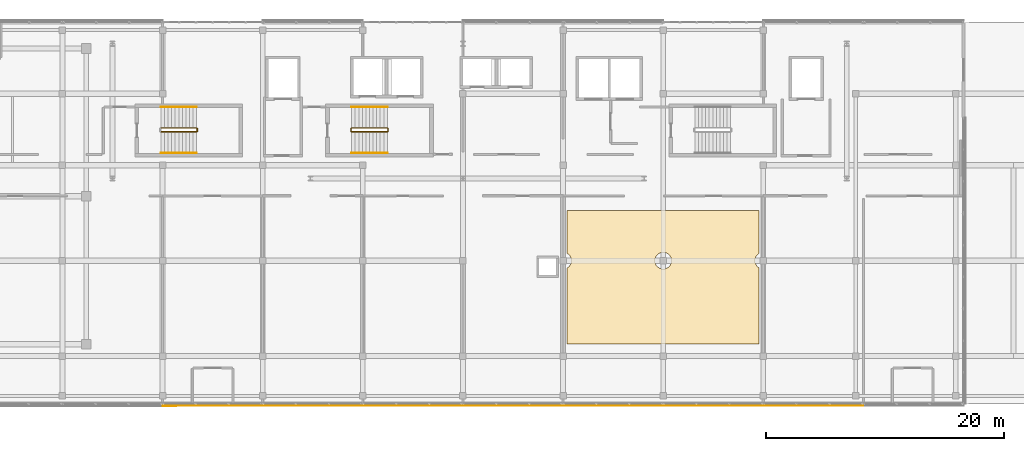
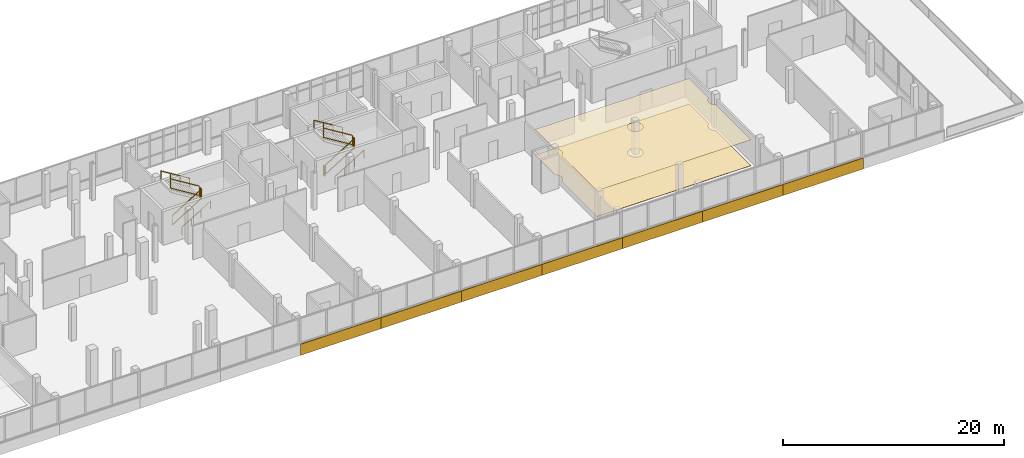
# One storey, part 64 of 67: 11 railings, 9 coverings.
"""IFC4 building model written with IfcOpenShell, lengths in metres."""

from ifc_helpers import new_model, si_unit, direction, frame, origin, origin_2d, place, context, subcontext, project, spatial, polyline, rectangle, circle, outline, extrude, material, layer, layer_set, type_object, element, save


model = new_model("IFC4")

# Units and contexts
model_context = context("Model", 3, precision=1e-05, world=origin(), true_north=direction((0.0, 1.0)))
body_context = subcontext(model_context, "Body", "Model", "MODEL_VIEW")
ifc_project = project(units=[si_unit("LENGTHUNIT", "METRE"), si_unit("AREAUNIT", "SQUARE_METRE"), si_unit("VOLUMEUNIT", "CUBIC_METRE"), si_unit("PLANEANGLEUNIT", "RADIAN"), si_unit("MASSUNIT", "GRAM", prefix="KILO")], contexts=[model_context])

# Site, building, storey
site_placement = place(None, origin())
site = spatial("IfcSite", under=ifc_project, at=site_placement, CompositionType="ELEMENT")
building_placement = place(site_placement, origin())
building = spatial("IfcBuilding", under=site, at=building_placement, Name="Selatvlak General Hospital", CompositionType="ELEMENT")
storey_placement = place(building_placement, frame((0.0, 0.0, 35.39990234375)))
storey = spatial("IfcBuildingStorey", under=building, at=storey_placement, Name="L08", CompositionType="ELEMENT", Elevation=35.39990234375)

# Coverings
ifc_material_1 = material(Name="Acoustic mineral fibre ceiling tile")
ifc_layer_1 = layer(ifc_material_1, 0.02490234375, Name="Acoustic mineral fibre ceiling tile")
ifc_layer_set_1 = layer_set([ifc_layer_1], Name="Acoustic mineral fibre ceiling tile")
covering_type_1 = type_object("IfcCoveringType", Name="COV-CEIL1", PredefinedType="CEILING", material=ifc_layer_set_1)
covering_1_placement = place(storey_placement, frame((0.0, 0.0, 2.840087890625)))
element("IfcCovering", 1, at=covering_1_placement, inside=storey, type_object=covering_type_1, Name="L08 clinical acoustic ceiling 018", PredefinedType="CEILING", context=body_context, shape_type="SweptSolid", body=[
    extrude(outline(polyline([(140.050048828125, 104.199951171875), (140.050048828125, 100.60498046875), (140.010986328125, 100.58203125), (139.9560546875, 100.541015625), (139.905029296875, 100.4951171875), (139.85888671875, 100.444091796875), (139.818115234375, 100.388916015625), (139.782958984375, 100.330078125), (139.7529296875, 100.26806640625), (139.72998046875, 100.202880859375), (139.712890625, 100.136962890625), (139.702880859375, 100.069091796875), (139.699951171875, 100.0), (139.702880859375, 99.930908203125), (139.712890625, 99.863037109375), (139.72998046875, 99.797119140625), (139.7529296875, 99.73193359375), (139.782958984375, 99.669921875), (139.818115234375, 99.611083984375), (139.85888671875, 99.555908203125), (139.905029296875, 99.5048828125), (139.9560546875, 99.458984375), (140.010986328125, 99.41796875), (140.050048828125, 99.39501953125), (140.050048828125, 93.0), (123.949951171875, 93.0), (123.949951171875, 99.39501953125), (123.989013671875, 99.41796875), (124.0439453125, 99.458984375), (124.094970703125, 99.5048828125), (124.14111328125, 99.555908203125), (124.181884765625, 99.611083984375), (124.217041015625, 99.669921875), (124.2470703125, 99.73193359375), (124.27001953125, 99.797119140625), (124.287109375, 99.863037109375), (124.297119140625, 99.930908203125), (124.300048828125, 100.0), (124.297119140625, 100.069091796875), (124.287109375, 100.136962890625), (124.27001953125, 100.202880859375), (124.2470703125, 100.26806640625), (124.217041015625, 100.330078125), (124.181884765625, 100.388916015625), (124.14111328125, 100.444091796875), (124.094970703125, 100.4951171875), (124.0439453125, 100.541015625), (123.989013671875, 100.58203125), (123.949951171875, 100.60498046875), (123.949951171875, 104.199951171875), (140.050048828125, 104.199951171875)]), holes=[polyline([(132.58203125, 99.611083984375), (132.616943359375, 99.669921875), (132.64697265625, 99.73193359375), (132.669921875, 99.797119140625), (132.68701171875, 99.863037109375), (132.697021484375, 99.930908203125), (132.699951171875, 100.0), (132.697021484375, 100.069091796875), (132.68701171875, 100.136962890625), (132.669921875, 100.202880859375), (132.64697265625, 100.26806640625), (132.616943359375, 100.330078125), (132.58203125, 100.388916015625), (132.541015625, 100.444091796875), (132.4951171875, 100.4951171875), (132.444091796875, 100.541015625), (132.388916015625, 100.58203125), (132.330078125, 100.616943359375), (132.26806640625, 100.64697265625), (132.202880859375, 100.669921875), (132.136962890625, 100.68701171875), (132.069091796875, 100.697021484375), (132.0, 100.699951171875), (131.930908203125, 100.697021484375), (131.863037109375, 100.68701171875), (131.797119140625, 100.669921875), (131.73193359375, 100.64697265625), (131.669921875, 100.616943359375), (131.611083984375, 100.58203125), (131.555908203125, 100.541015625), (131.5048828125, 100.4951171875), (131.458984375, 100.444091796875), (131.41796875, 100.388916015625), (131.383056640625, 100.330078125), (131.35302734375, 100.26806640625), (131.330078125, 100.202880859375), (131.31298828125, 100.136962890625), (131.302978515625, 100.069091796875), (131.300048828125, 100.0), (131.302978515625, 99.930908203125), (131.31298828125, 99.863037109375), (131.330078125, 99.797119140625), (131.35302734375, 99.73193359375), (131.383056640625, 99.669921875), (131.41796875, 99.611083984375), (131.458984375, 99.555908203125), (131.5048828125, 99.5048828125), (131.555908203125, 99.458984375), (131.611083984375, 99.41796875), (131.669921875, 99.383056640625), (131.73193359375, 99.35302734375), (131.797119140625, 99.330078125), (131.863037109375, 99.31298828125), (131.930908203125, 99.302978515625), (132.0, 99.300048828125), (132.069091796875, 99.302978515625), (132.136962890625, 99.31298828125), (132.202880859375, 99.330078125), (132.26806640625, 99.35302734375), (132.330078125, 99.383056640625), (132.388916015625, 99.41796875), (132.444091796875, 99.458984375), (132.4951171875, 99.5048828125), (132.541015625, 99.555908203125), (132.58203125, 99.611083984375)])]), origin(), (0.0, 0.0, 1.0), 0.02490234375),
])
ifc_material_2 = material(Name="Homogeneous anti-static hospital vinyl flooring")
ifc_layer_2 = layer(ifc_material_2, 0.014892578125, Name="Homogeneous anti-static hospital vinyl flooring")
ifc_layer_set_2 = layer_set([ifc_layer_2], Name="Homogeneous anti-static hospital vinyl flooring")
covering_type_2 = type_object("IfcCoveringType", Name="COV-FLR1", PredefinedType="FLOORING", material=ifc_layer_set_2)
covering_2_placement = place(storey_placement, origin())
element("IfcCovering", 2, at=covering_2_placement, inside=storey, type_object=covering_type_2, Name="L08 seamless vinyl flooring 018", PredefinedType="FLOORING", context=body_context, shape_type="SweptSolid", body=[
    extrude(outline(polyline([(140.050048828125, 104.199951171875), (140.050048828125, 100.60498046875), (140.010986328125, 100.58203125), (139.9560546875, 100.541015625), (139.905029296875, 100.4951171875), (139.85888671875, 100.444091796875), (139.818115234375, 100.388916015625), (139.782958984375, 100.330078125), (139.7529296875, 100.26806640625), (139.72998046875, 100.202880859375), (139.712890625, 100.136962890625), (139.702880859375, 100.069091796875), (139.699951171875, 100.0), (139.702880859375, 99.930908203125), (139.712890625, 99.863037109375), (139.72998046875, 99.797119140625), (139.7529296875, 99.73193359375), (139.782958984375, 99.669921875), (139.818115234375, 99.611083984375), (139.85888671875, 99.555908203125), (139.905029296875, 99.5048828125), (139.9560546875, 99.458984375), (140.010986328125, 99.41796875), (140.050048828125, 99.39501953125), (140.050048828125, 93.0), (123.949951171875, 93.0), (123.949951171875, 99.39501953125), (123.989013671875, 99.41796875), (124.0439453125, 99.458984375), (124.094970703125, 99.5048828125), (124.14111328125, 99.555908203125), (124.181884765625, 99.611083984375), (124.217041015625, 99.669921875), (124.2470703125, 99.73193359375), (124.27001953125, 99.797119140625), (124.287109375, 99.863037109375), (124.297119140625, 99.930908203125), (124.300048828125, 100.0), (124.297119140625, 100.069091796875), (124.287109375, 100.136962890625), (124.27001953125, 100.202880859375), (124.2470703125, 100.26806640625), (124.217041015625, 100.330078125), (124.181884765625, 100.388916015625), (124.14111328125, 100.444091796875), (124.094970703125, 100.4951171875), (124.0439453125, 100.541015625), (123.989013671875, 100.58203125), (123.949951171875, 100.60498046875), (123.949951171875, 104.199951171875), (140.050048828125, 104.199951171875)]), holes=[polyline([(132.58203125, 99.611083984375), (132.616943359375, 99.669921875), (132.64697265625, 99.73193359375), (132.669921875, 99.797119140625), (132.68701171875, 99.863037109375), (132.697021484375, 99.930908203125), (132.699951171875, 100.0), (132.697021484375, 100.069091796875), (132.68701171875, 100.136962890625), (132.669921875, 100.202880859375), (132.64697265625, 100.26806640625), (132.616943359375, 100.330078125), (132.58203125, 100.388916015625), (132.541015625, 100.444091796875), (132.4951171875, 100.4951171875), (132.444091796875, 100.541015625), (132.388916015625, 100.58203125), (132.330078125, 100.616943359375), (132.26806640625, 100.64697265625), (132.202880859375, 100.669921875), (132.136962890625, 100.68701171875), (132.069091796875, 100.697021484375), (132.0, 100.699951171875), (131.930908203125, 100.697021484375), (131.863037109375, 100.68701171875), (131.797119140625, 100.669921875), (131.73193359375, 100.64697265625), (131.669921875, 100.616943359375), (131.611083984375, 100.58203125), (131.555908203125, 100.541015625), (131.5048828125, 100.4951171875), (131.458984375, 100.444091796875), (131.41796875, 100.388916015625), (131.383056640625, 100.330078125), (131.35302734375, 100.26806640625), (131.330078125, 100.202880859375), (131.31298828125, 100.136962890625), (131.302978515625, 100.069091796875), (131.300048828125, 100.0), (131.302978515625, 99.930908203125), (131.31298828125, 99.863037109375), (131.330078125, 99.797119140625), (131.35302734375, 99.73193359375), (131.383056640625, 99.669921875), (131.41796875, 99.611083984375), (131.458984375, 99.555908203125), (131.5048828125, 99.5048828125), (131.555908203125, 99.458984375), (131.611083984375, 99.41796875), (131.669921875, 99.383056640625), (131.73193359375, 99.35302734375), (131.797119140625, 99.330078125), (131.863037109375, 99.31298828125), (131.930908203125, 99.302978515625), (132.0, 99.300048828125), (132.069091796875, 99.302978515625), (132.136962890625, 99.31298828125), (132.202880859375, 99.330078125), (132.26806640625, 99.35302734375), (132.330078125, 99.383056640625), (132.388916015625, 99.41796875), (132.444091796875, 99.458984375), (132.4951171875, 99.5048828125), (132.541015625, 99.555908203125), (132.58203125, 99.611083984375)])]), origin(), (0.0, 0.0, 1.0), 0.01513671875),
])
ifc_material_3 = material(Name="White Bauhaus fair-faced cladding panel")
ifc_layer_3 = layer(ifc_material_3, 0.054931640625, Name="White Bauhaus fair-faced cladding panel")
ifc_layer_set_3 = layer_set([ifc_layer_3], Name="White Bauhaus fair-faced cladding panel")
covering_type_3 = type_object("IfcCoveringType", Name="COV-WHT1", PredefinedType="CLADDING", material=ifc_layer_set_3)
for number, where, z_axis, x_axis, name in (
    (3, (144.60009765625, 87.8359375, -0.27978515625), (0.0, 0.0, 1.0), (-1.0, 0.0, 0.0), "L08 Bauhaus horizontal white spandrel band 0556"),
    (4, (136.199951171875, 87.8359375, -0.27978515625), (0.0, 0.0, 1.0), (-1.0, 0.0, 0.0), "L08 Bauhaus horizontal white spandrel band 0557"),
    (5, (127.800048828125, 87.8359375, -0.27978515625), (0.0, 0.0, 1.0), (-1.0, 0.0, 0.0), "L08 Bauhaus horizontal white spandrel band 0558"),
    (6, (119.39990234375, 87.8359375, -0.27978515625), (0.0, 0.0, 1.0), (-1.0, 0.0, 0.0), "L08 Bauhaus horizontal white spandrel band 0559"),
    (7, (111.0, 87.8359375, -0.27978515625), (0.0, 0.0, 1.0), (-1.0, 0.0, 0.0), "L08 Bauhaus horizontal white spandrel band 0560"),
    (8, (102.60009765625, 87.8359375, -0.27978515625), (0.0, 0.0, 1.0), (-1.0, 0.0, 0.0), "L08 Bauhaus horizontal white spandrel band 0561"),
    (9, (94.199951171875, 87.8359375, -0.27978515625), (0.0, 0.0, 1.0), (-0.999999992537, -0.000122173047, 0.0), "L08 Bauhaus horizontal white spandrel band 0562"),
):
    element("IfcCovering", number, at=place(storey_placement, frame(where, z_axis=z_axis, x_axis=x_axis)), inside=storey, type_object=covering_type_3, Name=name, PredefinedType="CLADDING", context=body_context, shape_type="SweptSolid", body=[
        extrude(rectangle(XDim=8.39990234375, YDim=0.054931640625, at=origin_2d()), origin(), (0.0, 0.0, 1.0), 1.219970703125),
    ])

# Railings
ifc_material_4 = material(Name="Stainless steel 316 stair guard", Category="steel")
railing_type_1 = type_object("IfcRailingType", Name="RAIL-STG", PredefinedType="GUARDRAIL", material=ifc_material_4)
railing_1_placement = place(storey_placement, frame((89.860107421875, 110.81005859375, 0.18408203125)))
element("IfcRailing", 10, at=railing_1_placement, inside=storey, type_object=railing_type_1, Name="L08 ST-02 stair guard 1", PredefinedType="GUARDRAIL", context=body_context, shape_type="SweptSolid", body=[
    extrude(rectangle(XDim=0.068115234375, YDim=0.068115234375, at=origin_2d()), frame((0.00244140625, 0.0, 1.067626953125), z_axis=(0.852303052018, 0.0, 0.52304828412), x_axis=(0.0, 1.0, 0.0)), (0.0, 0.0, 1.0), 3.513916015625),
    extrude(rectangle(XDim=0.068115234375, YDim=0.068115234375, at=origin_2d()), frame((0.00244140625, 0.0, 0.050537109375), z_axis=(0.852303052018, 0.0, 0.52304828412), x_axis=(0.0, 1.0, 0.0)), (0.0, 0.0, 1.0), 3.513916015625),
    extrude(rectangle(XDim=0.055908203125, YDim=0.055908203125, at=origin_2d()), origin(), (0.0, 0.0, 1.0), 1.029052734375),
    extrude(rectangle(XDim=0.055908203125, YDim=0.055908203125, at=origin_2d()), frame((3.0, 0.0, 1.841064453125)), (0.0, 0.0, 1.0), 1.029052734375),
])
railing_2_placement = place(storey_placement, frame((92.909912109375, 110.860107421875, 2.025146484375)))
element("IfcRailing", 11, at=railing_2_placement, inside=storey, type_object=railing_type_1, Name="L08 ST-02 stair guard 2", PredefinedType="GUARDRAIL", context=body_context, shape_type="SweptSolid", body=[
    extrude(rectangle(XDim=0.068115234375, YDim=0.068115234375, at=origin_2d()), frame((0.0, 0.0029296875, 1.06591796875), z_axis=(0.0, 1.0, 0.0), x_axis=(-1.0, 0.0, 0.0)), (0.0, 0.0, 1.0), 0.214111328125),
    extrude(rectangle(XDim=0.068115234375, YDim=0.068115234375, at=origin_2d()), frame((0.0, 0.0029296875, 0.049072265625), z_axis=(0.0, 1.0, 0.0), x_axis=(-1.0, 0.0, 0.0)), (0.0, 0.0, 1.0), 0.214111328125),
    extrude(rectangle(XDim=0.055908203125, YDim=0.055908203125, at=origin_2d()), origin(), (0.0, 0.0, 1.0), 1.029052734375),
    extrude(rectangle(XDim=0.055908203125, YDim=0.055908203125, at=origin_2d()), frame((0.0, 0.219970703125, 0.0)), (0.0, 0.0, 1.0), 1.029052734375),
])
railing_3_placement = place(storey_placement, frame((92.860107421875, 111.1298828125, 2.209228515625)))
element("IfcRailing", 12, at=railing_3_placement, inside=storey, type_object=railing_type_1, Name="L08 ST-02 stair guard 3", PredefinedType="GUARDRAIL", context=body_context, shape_type="SweptSolid", body=[
    extrude(rectangle(XDim=0.068115234375, YDim=0.068115234375, at=origin_2d()), frame((-0.00244140625, 0.0, 1.067626953125), z_axis=(-0.852333972304, 0.0, 0.522997896417), x_axis=(0.0, -1.0, 0.0)), (0.0, 0.0, 1.0), 3.513916015625),
    extrude(rectangle(XDim=0.068115234375, YDim=0.068115234375, at=origin_2d()), frame((-0.00244140625, 0.0, 0.050537109375), z_axis=(-0.852333972304, 0.0, 0.522997896417), x_axis=(0.0, -1.0, 0.0)), (0.0, 0.0, 1.0), 3.513916015625),
    extrude(rectangle(XDim=0.055908203125, YDim=0.055908203125, at=origin_2d()), origin(), (0.0, 0.0, 1.0), 1.029052734375),
    extrude(rectangle(XDim=0.055908203125, YDim=0.055908203125, at=origin_2d()), frame((-3.0, 0.0, 1.8408203125)), (0.0, 0.0, 1.0), 1.029052734375),
])
railing_4_placement = place(storey_placement, frame((105.860107421875, 110.81005859375, 0.18408203125)))
element("IfcRailing", 13, at=railing_4_placement, inside=storey, type_object=railing_type_1, Name="L08 ST-03 stair guard 1", PredefinedType="GUARDRAIL", context=body_context, shape_type="SweptSolid", body=[
    extrude(rectangle(XDim=0.068115234375, YDim=0.068115234375, at=origin_2d()), frame((0.00244140625, 0.0, 1.067626953125), z_axis=(0.852303052018, 0.0, 0.52304828412), x_axis=(0.0, 1.0, 0.0)), (0.0, 0.0, 1.0), 3.513916015625),
    extrude(rectangle(XDim=0.068115234375, YDim=0.068115234375, at=origin_2d()), frame((0.00244140625, 0.0, 0.050537109375), z_axis=(0.852303052018, 0.0, 0.52304828412), x_axis=(0.0, 1.0, 0.0)), (0.0, 0.0, 1.0), 3.513916015625),
    extrude(rectangle(XDim=0.055908203125, YDim=0.055908203125, at=origin_2d()), origin(), (0.0, 0.0, 1.0), 1.029052734375),
    extrude(rectangle(XDim=0.055908203125, YDim=0.055908203125, at=origin_2d()), frame((3.0, 0.0, 1.841064453125)), (0.0, 0.0, 1.0), 1.029052734375),
])
railing_5_placement = place(storey_placement, frame((108.909912109375, 110.860107421875, 2.025146484375)))
element("IfcRailing", 14, at=railing_5_placement, inside=storey, type_object=railing_type_1, Name="L08 ST-03 stair guard 2", PredefinedType="GUARDRAIL", context=body_context, shape_type="SweptSolid", body=[
    extrude(rectangle(XDim=0.068115234375, YDim=0.068115234375, at=origin_2d()), frame((0.0, 0.0029296875, 1.06591796875), z_axis=(0.0, 1.0, 0.0), x_axis=(-1.0, 0.0, 0.0)), (0.0, 0.0, 1.0), 0.214111328125),
    extrude(rectangle(XDim=0.068115234375, YDim=0.068115234375, at=origin_2d()), frame((0.0, 0.0029296875, 0.049072265625), z_axis=(0.0, 1.0, 0.0), x_axis=(-1.0, 0.0, 0.0)), (0.0, 0.0, 1.0), 0.214111328125),
    extrude(rectangle(XDim=0.055908203125, YDim=0.055908203125, at=origin_2d()), origin(), (0.0, 0.0, 1.0), 1.029052734375),
    extrude(rectangle(XDim=0.055908203125, YDim=0.055908203125, at=origin_2d()), frame((0.0, 0.219970703125, 0.0)), (0.0, 0.0, 1.0), 1.029052734375),
])
railing_6_placement = place(storey_placement, frame((108.860107421875, 111.1298828125, 2.209228515625)))
element("IfcRailing", 15, at=railing_6_placement, inside=storey, type_object=railing_type_1, Name="L08 ST-03 stair guard 3", PredefinedType="GUARDRAIL", context=body_context, shape_type="SweptSolid", body=[
    extrude(rectangle(XDim=0.068115234375, YDim=0.068115234375, at=origin_2d()), frame((-0.00244140625, 0.0, 1.067626953125), z_axis=(-0.852333972304, 0.0, 0.522997896417), x_axis=(0.0, -1.0, 0.0)), (0.0, 0.0, 1.0), 3.513916015625),
    extrude(rectangle(XDim=0.068115234375, YDim=0.068115234375, at=origin_2d()), frame((-0.00244140625, 0.0, 0.050537109375), z_axis=(-0.852333972304, 0.0, 0.522997896417), x_axis=(0.0, -1.0, 0.0)), (0.0, 0.0, 1.0), 3.513916015625),
    extrude(rectangle(XDim=0.055908203125, YDim=0.055908203125, at=origin_2d()), origin(), (0.0, 0.0, 1.0), 1.029052734375),
    extrude(rectangle(XDim=0.055908203125, YDim=0.055908203125, at=origin_2d()), frame((-3.0, 0.0, 1.8408203125)), (0.0, 0.0, 1.0), 1.029052734375),
])
railing_7_placement = place(storey_placement, frame((105.81005859375, 110.860107421875, 0.0)))
element("IfcRailing", 16, at=railing_7_placement, inside=storey, type_object=railing_type_1, Name="L08 ST-03 stair guard 4", PredefinedType="GUARDRAIL", context=body_context, shape_type="SweptSolid", body=[
    extrude(rectangle(XDim=0.068115234375, YDim=0.068115234375, at=origin_2d()), frame((0.0, 0.0029296875, 1.06591796875), z_axis=(0.0, 1.0, 0.0), x_axis=(-1.0, 0.0, 0.0)), (0.0, 0.0, 1.0), 0.214111328125),
    extrude(rectangle(XDim=0.068115234375, YDim=0.068115234375, at=origin_2d()), frame((0.0, 0.0029296875, 0.049072265625), z_axis=(0.0, 1.0, 0.0), x_axis=(-1.0, 0.0, 0.0)), (0.0, 0.0, 1.0), 0.214111328125),
    extrude(rectangle(XDim=0.055908203125, YDim=0.055908203125, at=origin_2d()), origin(), (0.0, 0.0, 1.0), 1.029052734375),
    extrude(rectangle(XDim=0.055908203125, YDim=0.055908203125, at=origin_2d()), frame((0.0, 0.219970703125, 0.0)), (0.0, 0.0, 1.0), 1.029052734375),
])
ifc_material_5 = material(Name="Stainless steel 316 handrail", Category="steel")
railing_type_2 = type_object("IfcRailingType", Name="RAIL-STH", PredefinedType="HANDRAIL", material=ifc_material_5)
railing_8_placement = place(storey_placement, frame((89.860107421875, 109.050048828125, 0.18408203125)))
element("IfcRailing", 17, at=railing_8_placement, inside=storey, type_object=railing_type_2, Name="L08 ST-02 stair handrail 1", PredefinedType="HANDRAIL", context=body_context, shape_type="SweptSolid", body=[
    extrude(circle(Radius=0.02392578125, at=origin_2d()), frame((0.00244140625, 0.0, 0.87744140625), z_axis=(0.852303052018, 0.0, 0.52304828412), x_axis=(0.0, 1.0, 0.0)), (0.0, 0.0, 1.0), 3.513916015625),
    extrude(circle(Radius=0.02099609375, at=origin_2d()), origin(), (0.0, 0.0, 1.0), 0.848876953125),
    extrude(circle(Radius=0.02099609375, at=origin_2d()), frame((1.0, 0.0, 0.61376953125)), (0.0, 0.0, 1.0), 0.848876953125),
    extrude(circle(Radius=0.02099609375, at=origin_2d()), frame((2.0, 0.0, 1.227294921875)), (0.0, 0.0, 1.0), 0.848876953125),
    extrude(circle(Radius=0.02099609375, at=origin_2d()), frame((3.0, 0.0, 1.841064453125)), (0.0, 0.0, 1.0), 0.848876953125),
])
railing_9_placement = place(storey_placement, frame((92.860107421875, 112.889892578125, 2.209228515625)))
element("IfcRailing", 18, at=railing_9_placement, inside=storey, type_object=railing_type_2, Name="L08 ST-02 stair handrail 2", PredefinedType="HANDRAIL", context=body_context, shape_type="SweptSolid", body=[
    extrude(circle(Radius=0.02392578125, at=origin_2d()), frame((-0.00244140625, 0.0, 0.87744140625), z_axis=(-0.852333972304, 0.0, 0.522997896417), x_axis=(0.0, -1.0, 0.0)), (0.0, 0.0, 1.0), 3.513916015625),
    extrude(circle(Radius=0.02099609375, at=origin_2d()), origin(), (0.0, 0.0, 1.0), 0.848876953125),
    extrude(circle(Radius=0.02099609375, at=origin_2d()), frame((-1.0, 0.0, 0.613525390625)), (0.0, 0.0, 1.0), 0.848876953125),
    extrude(circle(Radius=0.02099609375, at=origin_2d()), frame((-2.0, 0.0, 1.227294921875)), (0.0, 0.0, 1.0), 0.848876953125),
    extrude(circle(Radius=0.02099609375, at=origin_2d()), frame((-3.0, 0.0, 1.8408203125)), (0.0, 0.0, 1.0), 0.848876953125),
])
railing_10_placement = place(storey_placement, frame((105.860107421875, 109.050048828125, 0.18408203125)))
element("IfcRailing", 19, at=railing_10_placement, inside=storey, type_object=railing_type_2, Name="L08 ST-03 stair handrail 1", PredefinedType="HANDRAIL", context=body_context, shape_type="SweptSolid", body=[
    extrude(circle(Radius=0.02392578125, at=origin_2d()), frame((0.00244140625, 0.0, 0.87744140625), z_axis=(0.852303052018, 0.0, 0.52304828412), x_axis=(0.0, 1.0, 0.0)), (0.0, 0.0, 1.0), 3.513916015625),
    extrude(circle(Radius=0.02099609375, at=origin_2d()), origin(), (0.0, 0.0, 1.0), 0.848876953125),
    extrude(circle(Radius=0.02099609375, at=origin_2d()), frame((1.0, 0.0, 0.61376953125)), (0.0, 0.0, 1.0), 0.848876953125),
    extrude(circle(Radius=0.02099609375, at=origin_2d()), frame((2.0, 0.0, 1.227294921875)), (0.0, 0.0, 1.0), 0.848876953125),
    extrude(circle(Radius=0.02099609375, at=origin_2d()), frame((3.0, 0.0, 1.841064453125)), (0.0, 0.0, 1.0), 0.848876953125),
])
railing_11_placement = place(storey_placement, frame((108.860107421875, 112.889892578125, 2.209228515625)))
element("IfcRailing", 20, at=railing_11_placement, inside=storey, type_object=railing_type_2, Name="L08 ST-03 stair handrail 2", PredefinedType="HANDRAIL", context=body_context, shape_type="SweptSolid", body=[
    extrude(circle(Radius=0.02392578125, at=origin_2d()), frame((-0.00244140625, 0.0, 0.87744140625), z_axis=(-0.852333972304, 0.0, 0.522997896417), x_axis=(0.0, -1.0, 0.0)), (0.0, 0.0, 1.0), 3.513916015625),
    extrude(circle(Radius=0.02099609375, at=origin_2d()), origin(), (0.0, 0.0, 1.0), 0.848876953125),
    extrude(circle(Radius=0.02099609375, at=origin_2d()), frame((-1.0, 0.0, 0.613525390625)), (0.0, 0.0, 1.0), 0.848876953125),
    extrude(circle(Radius=0.02099609375, at=origin_2d()), frame((-2.0, 0.0, 1.227294921875)), (0.0, 0.0, 1.0), 0.848876953125),
    extrude(circle(Radius=0.02099609375, at=origin_2d()), frame((-3.0, 0.0, 1.8408203125)), (0.0, 0.0, 1.0), 0.848876953125),
])

save(model, "model.ifc")
